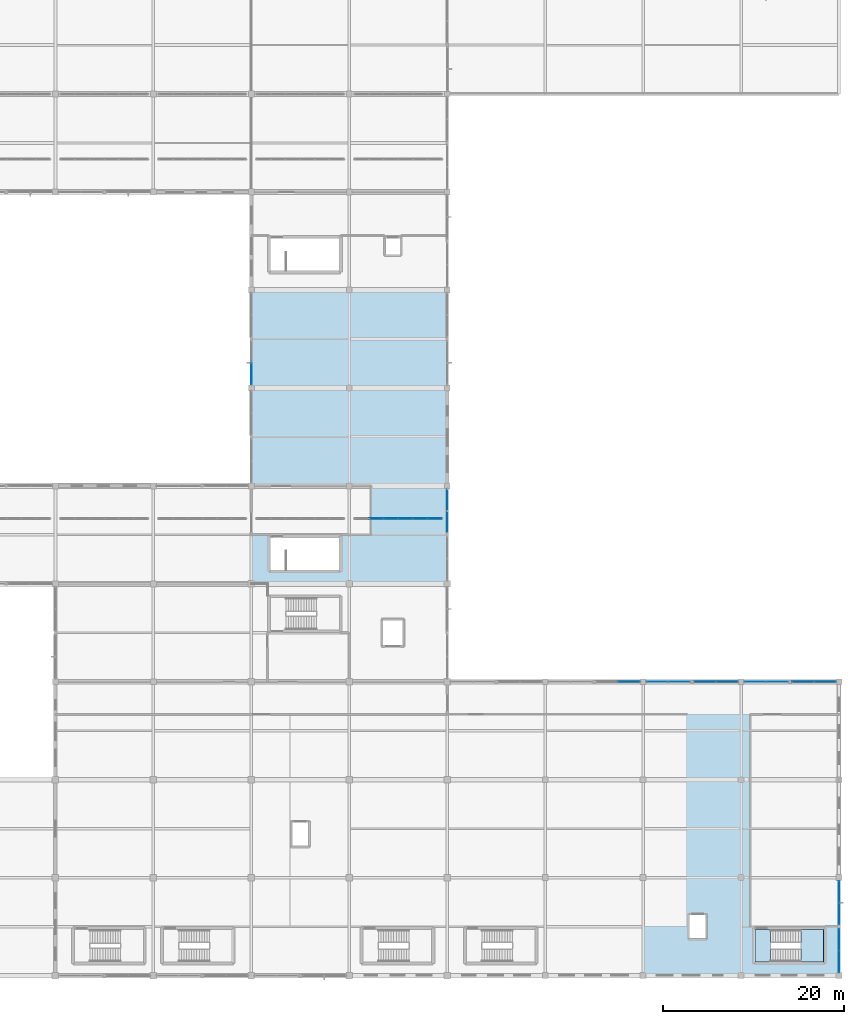
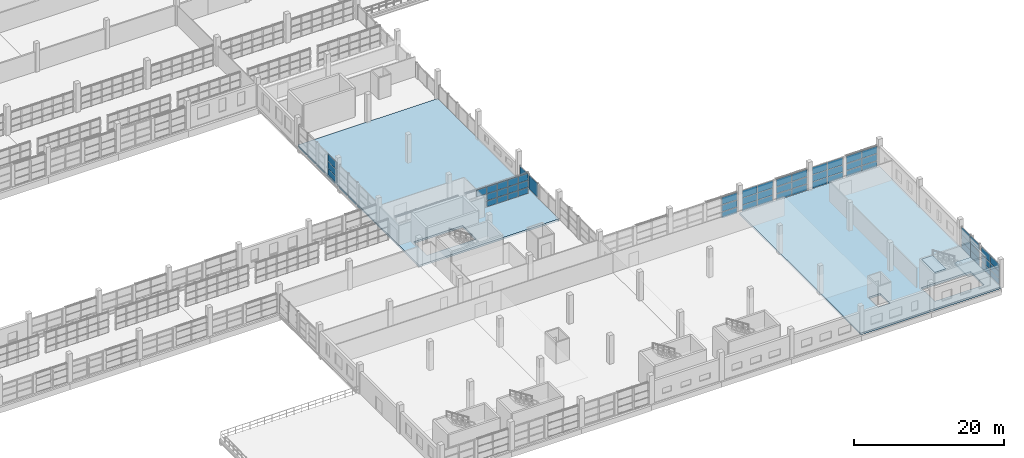
# One storey, part 98 of 142: 57 plates, 4 slabs, 11 elements without a shape of their own.
"""IFC4 building model written with IfcOpenShell, lengths in metres."""

from ifc_helpers import new_model, si_unit, direction, frame, origin, origin_2d, place, context, subcontext, project, spatial, polyline, rectangle, outline, extrude, material, layer, layer_set, type_object, element, aggregate, save


model = new_model("IFC4")

# Units and contexts
model_context = context("Model", 3, precision=1e-05, world=origin(), true_north=direction((0.0, 1.0)))
body_context = subcontext(model_context, "Body", "Model", "MODEL_VIEW")
ifc_project = project(units=[si_unit("LENGTHUNIT", "METRE"), si_unit("AREAUNIT", "SQUARE_METRE"), si_unit("VOLUMEUNIT", "CUBIC_METRE"), si_unit("PLANEANGLEUNIT", "RADIAN"), si_unit("MASSUNIT", "GRAM", prefix="KILO")], contexts=[model_context])

# Site, building, storey
site_placement = place(None, origin())
site = spatial("IfcSite", under=ifc_project, at=site_placement, CompositionType="ELEMENT")
building_placement = place(site_placement, origin())
building = spatial("IfcBuilding", under=site, at=building_placement, Name="Zwinboog Wholesale Market", CompositionType="ELEMENT")
storey_placement = place(building_placement, frame((0.0, 0.0, 5.39990234375)))
storey = spatial("IfcBuildingStorey", under=building, at=storey_placement, Name="L01", CompositionType="ELEMENT", Elevation=5.39990234375)

# Slabs
ifc_material_1 = material(Name="Precast concrete C45/55", Category="concrete")
ifc_layer_1 = layer(ifc_material_1, 0.304931640625)
ifc_layer_set_1 = layer_set([ifc_layer_1], Name="Precast concrete C45/55")
slab_type_1 = type_object("IfcSlabType", Name="SLT-FL-305", PredefinedType="FLOOR", material=ifc_layer_set_1)
slab_1_placement = place(storey_placement, frame((0.0, 0.0, -0.304931640625)))
element("IfcSlab", 1, at=slab_1_placement, inside=storey, type_object=slab_type_1, Name="SF-305 (SLB-L01-041)", PredefinedType="FLOOR", context=body_context, shape_type="SweptSolid", body=[
    extrude(outline(polyline([(151.199951171875, 43.199951171875), (172.800048828125, 43.199951171875), (172.800048828125, 75.60009765625), (151.199951171875, 75.60009765625), (151.199951171875, 43.199951171875)]), holes=[polyline([(153.300048828125, 44.699951171875), (160.89990234375, 44.699951171875), (160.89990234375, 48.300048828125), (153.300048828125, 48.300048828125), (153.300048828125, 44.699951171875)])]), origin(), (0.0, 0.0, 1.0), 0.304931640625),
])
slab_2_placement = place(storey_placement, frame((0.0, 0.0, -0.304931640625)))
element("IfcSlab", 2, at=slab_2_placement, inside=storey, type_object=slab_type_1, Name="SF-305 (SLB-L01-049)", PredefinedType="FLOOR", context=body_context, shape_type="SweptSolid", body=[
    extrude(outline(polyline([(194.39990234375, 0.0), (216.0, 0.0), (216.0, 32.39990234375), (194.39990234375, 32.39990234375), (194.39990234375, 0.0)]), holes=[polyline([(206.699951171875, 1.5), (214.300048828125, 1.5), (214.300048828125, 5.10009765625), (206.699951171875, 5.10009765625), (206.699951171875, 1.5)]), polyline([(199.5, 4.10009765625), (201.300048828125, 4.10009765625), (201.300048828125, 6.699951171875), (199.5, 6.699951171875), (199.5, 4.10009765625)])]), origin(), (0.0, 0.0, 1.0), 0.304931640625),
])

# Curtain wall, plates
ifc_material_2 = material(Name="Aluminium thermally broken curtain wall", Category="aluminium")
curtain_wall_type_1 = type_object("IfcCurtainWallType", Name="CWT-STALL-20", PredefinedType="USERDEFINED", material=ifc_material_2)
curtain_wall_1_placement = place(storey_placement, origin())
curtain_wall_1 = element("IfcCurtainWall", 3, at=curtain_wall_1_placement, inside=storey, type_object=curtain_wall_type_1, Name="CW-02 (CW-L01-146)", ObjectType="STOREFRONT_GLAZING", PredefinedType="USERDEFINED")
ifc_material_3 = material(Name="Double low-e insulated glazing", Category="glass")
ifc_layer_2 = layer(ifc_material_3, 0.031982421875)
ifc_layer_set_2 = layer_set([ifc_layer_2], Name="Double low-e insulated glazing")
plate_type_1 = type_object("IfcPlateType", Name="CWP-IGU-32", PredefinedType="CURTAIN_PANEL", material=ifc_layer_set_2)
plate_1_placement = place(storey_placement, frame((192.844970703125, 32.39990234375, 0.06005859375), z_axis=(0.0, 0.0, 1.0), x_axis=(1.0, 0.0, 0.0)))
plate_1 = element("IfcPlate", 4, at=plate_1_placement, type_object=plate_type_1, Name="CW-02 panel 2.1", PredefinedType="CURTAIN_PANEL", context=body_context, shape_type="SweptSolid", body=[
    extrude(rectangle(XDim=2.35009765625, YDim=0.031982421875, at=origin_2d()), origin(), (0.0, 0.0, 1.0), 1.010009765625),
])
plate_2_placement = place(storey_placement, frame((192.844970703125, 32.39990234375, 1.1298828125), z_axis=(0.0, 0.0, 1.0), x_axis=(1.0, 0.0, 0.0)))
plate_2 = element("IfcPlate", 5, at=plate_2_placement, type_object=plate_type_1, Name="CW-02 panel 2.2", PredefinedType="CURTAIN_PANEL", context=body_context, shape_type="SweptSolid", body=[
    extrude(rectangle(XDim=2.35009765625, YDim=0.031982421875, at=origin_2d()), origin(), (0.0, 0.0, 1.0), 1.090087890625),
])
plate_3_placement = place(storey_placement, frame((192.844970703125, 32.39990234375, 2.280029296875), z_axis=(0.0, 0.0, 1.0), x_axis=(1.0, 0.0, 0.0)))
plate_3 = element("IfcPlate", 6, at=plate_3_placement, type_object=plate_type_1, Name="CW-02 panel 2.3", PredefinedType="CURTAIN_PANEL", context=body_context, shape_type="SweptSolid", body=[
    extrude(rectangle(XDim=2.35009765625, YDim=0.031982421875, at=origin_2d()), origin(), (0.0, 0.0, 1.0), 1.18994140625),
])
aggregate(curtain_wall_1, [plate_1, plate_2, plate_3])

curtain_wall_type_2 = type_object("IfcCurtainWallType", Name="CWT-HALL-24", PredefinedType="USERDEFINED", material=ifc_material_2)
curtain_wall_2_placement = place(storey_placement, origin())
curtain_wall_2 = element("IfcCurtainWall", 7, at=curtain_wall_2_placement, inside=storey, type_object=curtain_wall_type_2, Name="CW-03 (CW-L01-147)", ObjectType="UNITIZED_CURTAIN_WALL", PredefinedType="USERDEFINED")
plate_4_placement = place(storey_placement, frame((195.956298828125, 32.39990234375, 0.065185546875), z_axis=(0.0, 0.0, 1.0), x_axis=(1.0, 0.0, 0.0)))
plate_4 = element("IfcPlate", 8, at=plate_4_placement, type_object=plate_type_1, Name="CW-03 panel 1.1", PredefinedType="CURTAIN_PANEL", context=body_context, shape_type="SweptSolid", body=[
    extrude(rectangle(XDim=2.342529296875, YDim=0.031982421875, at=origin_2d()), origin(), (0.0, 0.0, 1.0), 1.00244140625),
])
plate_5_placement = place(storey_placement, frame((195.956298828125, 32.39990234375, 1.132568359375), z_axis=(0.0, 0.0, 1.0), x_axis=(1.0, 0.0, 0.0)))
plate_5 = element("IfcPlate", 9, at=plate_5_placement, type_object=plate_type_1, Name="CW-03 panel 1.2", PredefinedType="CURTAIN_PANEL", context=body_context, shape_type="SweptSolid", body=[
    extrude(rectangle(XDim=2.342529296875, YDim=0.031982421875, at=origin_2d()), origin(), (0.0, 0.0, 1.0), 1.0849609375),
])
plate_6_placement = place(storey_placement, frame((195.956298828125, 32.39990234375, 2.282470703125), z_axis=(0.0, 0.0, 1.0), x_axis=(1.0, 0.0, 0.0)))
plate_6 = element("IfcPlate", 10, at=plate_6_placement, type_object=plate_type_1, Name="CW-03 panel 1.3", PredefinedType="CURTAIN_PANEL", context=body_context, shape_type="SweptSolid", body=[
    extrude(rectangle(XDim=2.342529296875, YDim=0.031982421875, at=origin_2d()), origin(), (0.0, 0.0, 1.0), 1.1826171875),
])
plate_7_placement = place(storey_placement, frame((198.36376953125, 32.39990234375, 0.065185546875), z_axis=(0.0, 0.0, 1.0), x_axis=(1.0, 0.0, 0.0)))
plate_7 = element("IfcPlate", 11, at=plate_7_placement, type_object=plate_type_1, Name="CW-03 panel 2.1", PredefinedType="CURTAIN_PANEL", context=body_context, shape_type="SweptSolid", body=[
    extrude(rectangle(XDim=2.342529296875, YDim=0.031982421875, at=origin_2d()), origin(), (0.0, 0.0, 1.0), 1.00244140625),
])
plate_8_placement = place(storey_placement, frame((198.36376953125, 32.39990234375, 1.132568359375), z_axis=(0.0, 0.0, 1.0), x_axis=(1.0, 0.0, 0.0)))
plate_8 = element("IfcPlate", 12, at=plate_8_placement, type_object=plate_type_1, Name="CW-03 panel 2.2", PredefinedType="CURTAIN_PANEL", context=body_context, shape_type="SweptSolid", body=[
    extrude(rectangle(XDim=2.342529296875, YDim=0.031982421875, at=origin_2d()), origin(), (0.0, 0.0, 1.0), 1.0849609375),
])
plate_9_placement = place(storey_placement, frame((198.36376953125, 32.39990234375, 2.282470703125), z_axis=(0.0, 0.0, 1.0), x_axis=(1.0, 0.0, 0.0)))
plate_9 = element("IfcPlate", 13, at=plate_9_placement, type_object=plate_type_1, Name="CW-03 panel 2.3", PredefinedType="CURTAIN_PANEL", context=body_context, shape_type="SweptSolid", body=[
    extrude(rectangle(XDim=2.342529296875, YDim=0.031982421875, at=origin_2d()), origin(), (0.0, 0.0, 1.0), 1.1826171875),
])
aggregate(curtain_wall_2, [plate_4, plate_5, plate_6, plate_7, plate_8, plate_9])

curtain_wall_type_3 = type_object("IfcCurtainWallType", Name="CWT-GAL-16", PredefinedType="USERDEFINED", material=ifc_material_2)
curtain_wall_3_placement = place(storey_placement, origin())
curtain_wall_3 = element("IfcCurtainWall", 14, at=curtain_wall_3_placement, inside=storey, type_object=curtain_wall_type_3, Name="CW-04 (CW-L01-148)", ObjectType="UNITIZED_CURTAIN_WALL", PredefinedType="USERDEFINED")
plate_10_placement = place(storey_placement, frame((201.235107421875, 32.39990234375, 0.06005859375), z_axis=(0.0, 0.0, 1.0), x_axis=(1.0, 0.0, 0.0)))
plate_10 = element("IfcPlate", 15, at=plate_10_placement, type_object=plate_type_1, Name="CW-04 panel 1.1", PredefinedType="CURTAIN_PANEL", context=body_context, shape_type="SweptSolid", body=[
    extrude(rectangle(XDim=2.35009765625, YDim=0.031982421875, at=origin_2d()), origin(), (0.0, 0.0, 1.0), 1.010009765625),
])
plate_11_placement = place(storey_placement, frame((201.235107421875, 32.39990234375, 1.1298828125), z_axis=(0.0, 0.0, 1.0), x_axis=(1.0, 0.0, 0.0)))
plate_11 = element("IfcPlate", 16, at=plate_11_placement, type_object=plate_type_1, Name="CW-04 panel 1.2", PredefinedType="CURTAIN_PANEL", context=body_context, shape_type="SweptSolid", body=[
    extrude(rectangle(XDim=2.35009765625, YDim=0.031982421875, at=origin_2d()), origin(), (0.0, 0.0, 1.0), 1.090087890625),
])
plate_12_placement = place(storey_placement, frame((201.235107421875, 32.39990234375, 2.280029296875), z_axis=(0.0, 0.0, 1.0), x_axis=(1.0, 0.0, 0.0)))
plate_12 = element("IfcPlate", 17, at=plate_12_placement, type_object=plate_type_1, Name="CW-04 panel 1.3", PredefinedType="CURTAIN_PANEL", context=body_context, shape_type="SweptSolid", body=[
    extrude(rectangle(XDim=2.35009765625, YDim=0.031982421875, at=origin_2d()), origin(), (0.0, 0.0, 1.0), 1.18994140625),
])
plate_13_placement = place(storey_placement, frame((203.64501953125, 32.39990234375, 0.06005859375), z_axis=(0.0, 0.0, 1.0), x_axis=(1.0, 0.0, 0.0)))
plate_13 = element("IfcPlate", 18, at=plate_13_placement, type_object=plate_type_1, Name="CW-04 panel 2.1", PredefinedType="CURTAIN_PANEL", context=body_context, shape_type="SweptSolid", body=[
    extrude(rectangle(XDim=2.35009765625, YDim=0.031982421875, at=origin_2d()), origin(), (0.0, 0.0, 1.0), 1.010009765625),
])
plate_14_placement = place(storey_placement, frame((203.64501953125, 32.39990234375, 1.1298828125), z_axis=(0.0, 0.0, 1.0), x_axis=(1.0, 0.0, 0.0)))
plate_14 = element("IfcPlate", 19, at=plate_14_placement, type_object=plate_type_1, Name="CW-04 panel 2.2", PredefinedType="CURTAIN_PANEL", context=body_context, shape_type="SweptSolid", body=[
    extrude(rectangle(XDim=2.35009765625, YDim=0.031982421875, at=origin_2d()), origin(), (0.0, 0.0, 1.0), 1.090087890625),
])
plate_15_placement = place(storey_placement, frame((203.64501953125, 32.39990234375, 2.280029296875), z_axis=(0.0, 0.0, 1.0), x_axis=(1.0, 0.0, 0.0)))
plate_15 = element("IfcPlate", 20, at=plate_15_placement, type_object=plate_type_1, Name="CW-04 panel 2.3", PredefinedType="CURTAIN_PANEL", context=body_context, shape_type="SweptSolid", body=[
    extrude(rectangle(XDim=2.35009765625, YDim=0.031982421875, at=origin_2d()), origin(), (0.0, 0.0, 1.0), 1.18994140625),
])
aggregate(curtain_wall_3, [plate_10, plate_11, plate_12, plate_13, plate_14, plate_15])

curtain_wall_type_4 = type_object("IfcCurtainWallType", Name="CWT-CAFE-22", PredefinedType="USERDEFINED", material=ifc_material_2)
curtain_wall_4_placement = place(storey_placement, origin())
curtain_wall_4 = element("IfcCurtainWall", 21, at=curtain_wall_4_placement, inside=storey, type_object=curtain_wall_type_4, Name="CW-05 (CW-L01-149)", ObjectType="STOREFRONT_GLAZING", PredefinedType="USERDEFINED")
plate_16_placement = place(storey_placement, frame((216.0, 1.55615234375, 0.065185546875), z_axis=(0.0, 0.0, 1.0), x_axis=(0.0, 1.0, 0.0)))
plate_16 = element("IfcPlate", 22, at=plate_16_placement, type_object=plate_type_1, Name="CW-05 panel 1.1", PredefinedType="CURTAIN_PANEL", context=body_context, shape_type="SweptSolid", body=[
    extrude(rectangle(XDim=2.342529296875, YDim=0.031982421875, at=origin_2d()), origin(), (0.0, 0.0, 1.0), 1.00244140625),
])
plate_17_placement = place(storey_placement, frame((216.0, 1.55615234375, 1.132568359375), z_axis=(0.0, 0.0, 1.0), x_axis=(0.0, 1.0, 0.0)))
plate_17 = element("IfcPlate", 23, at=plate_17_placement, type_object=plate_type_1, Name="CW-05 panel 1.2", PredefinedType="CURTAIN_PANEL", context=body_context, shape_type="SweptSolid", body=[
    extrude(rectangle(XDim=2.342529296875, YDim=0.031982421875, at=origin_2d()), origin(), (0.0, 0.0, 1.0), 1.0849609375),
])
plate_18_placement = place(storey_placement, frame((216.0, 1.55615234375, 2.282470703125), z_axis=(0.0, 0.0, 1.0), x_axis=(0.0, 1.0, 0.0)))
plate_18 = element("IfcPlate", 24, at=plate_18_placement, type_object=plate_type_1, Name="CW-05 panel 1.3", PredefinedType="CURTAIN_PANEL", context=body_context, shape_type="SweptSolid", body=[
    extrude(rectangle(XDim=2.342529296875, YDim=0.031982421875, at=origin_2d()), origin(), (0.0, 0.0, 1.0), 1.1826171875),
])
plate_19_placement = place(storey_placement, frame((216.0, 3.9638671875, 0.065185546875), z_axis=(0.0, 0.0, 1.0), x_axis=(0.0, 1.0, 0.0)))
plate_19 = element("IfcPlate", 25, at=plate_19_placement, type_object=plate_type_1, Name="CW-05 panel 2.1", PredefinedType="CURTAIN_PANEL", context=body_context, shape_type="SweptSolid", body=[
    extrude(rectangle(XDim=2.342529296875, YDim=0.031982421875, at=origin_2d()), origin(), (0.0, 0.0, 1.0), 1.00244140625),
])
plate_20_placement = place(storey_placement, frame((216.0, 3.9638671875, 1.132568359375), z_axis=(0.0, 0.0, 1.0), x_axis=(0.0, 1.0, 0.0)))
plate_20 = element("IfcPlate", 26, at=plate_20_placement, type_object=plate_type_1, Name="CW-05 panel 2.2", PredefinedType="CURTAIN_PANEL", context=body_context, shape_type="SweptSolid", body=[
    extrude(rectangle(XDim=2.342529296875, YDim=0.031982421875, at=origin_2d()), origin(), (0.0, 0.0, 1.0), 1.0849609375),
])
plate_21_placement = place(storey_placement, frame((216.0, 3.9638671875, 2.282470703125), z_axis=(0.0, 0.0, 1.0), x_axis=(0.0, 1.0, 0.0)))
plate_21 = element("IfcPlate", 27, at=plate_21_placement, type_object=plate_type_1, Name="CW-05 panel 2.3", PredefinedType="CURTAIN_PANEL", context=body_context, shape_type="SweptSolid", body=[
    extrude(rectangle(XDim=2.342529296875, YDim=0.031982421875, at=origin_2d()), origin(), (0.0, 0.0, 1.0), 1.1826171875),
])
aggregate(curtain_wall_4, [plate_16, plate_17, plate_18, plate_19, plate_20, plate_21])

curtain_wall_type_5 = type_object("IfcCurtainWallType", Name="CWT-OFF-15", PredefinedType="USERDEFINED", material=ifc_material_2)
curtain_wall_5_placement = place(storey_placement, origin())
curtain_wall_5 = element("IfcCurtainWall", 28, at=curtain_wall_5_placement, inside=storey, type_object=curtain_wall_type_5, Name="CW-06 (CW-L01-150)", ObjectType="UNITIZED_CURTAIN_WALL", PredefinedType="USERDEFINED")
plate_22_placement = place(storey_placement, frame((216.0, 6.8349609375, 0.06005859375), z_axis=(0.0, 0.0, 1.0), x_axis=(0.0, 1.0, 0.0)))
plate_22 = element("IfcPlate", 29, at=plate_22_placement, type_object=plate_type_1, Name="CW-06 panel 1.1", PredefinedType="CURTAIN_PANEL", context=body_context, shape_type="SweptSolid", body=[
    extrude(rectangle(XDim=2.35009765625, YDim=0.031982421875, at=origin_2d()), origin(), (0.0, 0.0, 1.0), 1.010009765625),
])
plate_23_placement = place(storey_placement, frame((216.0, 6.8349609375, 1.1298828125), z_axis=(0.0, 0.0, 1.0), x_axis=(0.0, 1.0, 0.0)))
plate_23 = element("IfcPlate", 30, at=plate_23_placement, type_object=plate_type_1, Name="CW-06 panel 1.2", PredefinedType="CURTAIN_PANEL", context=body_context, shape_type="SweptSolid", body=[
    extrude(rectangle(XDim=2.35009765625, YDim=0.031982421875, at=origin_2d()), origin(), (0.0, 0.0, 1.0), 1.090087890625),
])
plate_24_placement = place(storey_placement, frame((216.0, 6.8349609375, 2.280029296875), z_axis=(0.0, 0.0, 1.0), x_axis=(0.0, 1.0, 0.0)))
plate_24 = element("IfcPlate", 31, at=plate_24_placement, type_object=plate_type_1, Name="CW-06 panel 1.3", PredefinedType="CURTAIN_PANEL", context=body_context, shape_type="SweptSolid", body=[
    extrude(rectangle(XDim=2.35009765625, YDim=0.031982421875, at=origin_2d()), origin(), (0.0, 0.0, 1.0), 1.18994140625),
])
plate_25_placement = place(storey_placement, frame((216.0, 9.2451171875, 0.06005859375), z_axis=(0.0, 0.0, 1.0), x_axis=(0.0, 1.0, 0.0)))
plate_25 = element("IfcPlate", 32, at=plate_25_placement, type_object=plate_type_1, Name="CW-06 panel 2.1", PredefinedType="CURTAIN_PANEL", context=body_context, shape_type="SweptSolid", body=[
    extrude(rectangle(XDim=2.35009765625, YDim=0.031982421875, at=origin_2d()), origin(), (0.0, 0.0, 1.0), 1.010009765625),
])
plate_26_placement = place(storey_placement, frame((216.0, 9.2451171875, 1.1298828125), z_axis=(0.0, 0.0, 1.0), x_axis=(0.0, 1.0, 0.0)))
plate_26 = element("IfcPlate", 33, at=plate_26_placement, type_object=plate_type_1, Name="CW-06 panel 2.2", PredefinedType="CURTAIN_PANEL", context=body_context, shape_type="SweptSolid", body=[
    extrude(rectangle(XDim=2.35009765625, YDim=0.031982421875, at=origin_2d()), origin(), (0.0, 0.0, 1.0), 1.090087890625),
])
plate_27_placement = place(storey_placement, frame((216.0, 9.2451171875, 2.280029296875), z_axis=(0.0, 0.0, 1.0), x_axis=(0.0, 1.0, 0.0)))
plate_27 = element("IfcPlate", 34, at=plate_27_placement, type_object=plate_type_1, Name="CW-06 panel 2.3", PredefinedType="CURTAIN_PANEL", context=body_context, shape_type="SweptSolid", body=[
    extrude(rectangle(XDim=2.35009765625, YDim=0.031982421875, at=origin_2d()), origin(), (0.0, 0.0, 1.0), 1.18994140625),
])
aggregate(curtain_wall_5, [plate_22, plate_23, plate_24, plate_25, plate_26, plate_27])

curtain_wall_type_6 = type_object("IfcCurtainWallType", Name="CWT-STALL-18", PredefinedType="USERDEFINED", material=ifc_material_2)
curtain_wall_6_placement = place(storey_placement, origin())
curtain_wall_6 = element("IfcCurtainWall", 35, at=curtain_wall_6_placement, inside=storey, type_object=curtain_wall_type_6, Name="CW-01 (CW-L01-151)", ObjectType="STOREFRONT_GLAZING", PredefinedType="USERDEFINED")
plate_28_placement = place(storey_placement, frame((206.75634765625, 32.39990234375, 0.065185546875), z_axis=(0.0, 0.0, 1.0), x_axis=(1.0, 0.0, 0.0)))
plate_28 = element("IfcPlate", 36, at=plate_28_placement, type_object=plate_type_1, Name="CW-01 panel 1.1", PredefinedType="CURTAIN_PANEL", context=body_context, shape_type="SweptSolid", body=[
    extrude(rectangle(XDim=2.342529296875, YDim=0.031982421875, at=origin_2d()), origin(), (0.0, 0.0, 1.0), 1.00244140625),
])
plate_29_placement = place(storey_placement, frame((206.75634765625, 32.39990234375, 1.132568359375), z_axis=(0.0, 0.0, 1.0), x_axis=(1.0, 0.0, 0.0)))
plate_29 = element("IfcPlate", 37, at=plate_29_placement, type_object=plate_type_1, Name="CW-01 panel 1.2", PredefinedType="CURTAIN_PANEL", context=body_context, shape_type="SweptSolid", body=[
    extrude(rectangle(XDim=2.342529296875, YDim=0.031982421875, at=origin_2d()), origin(), (0.0, 0.0, 1.0), 1.0849609375),
])
plate_30_placement = place(storey_placement, frame((206.75634765625, 32.39990234375, 2.282470703125), z_axis=(0.0, 0.0, 1.0), x_axis=(1.0, 0.0, 0.0)))
plate_30 = element("IfcPlate", 38, at=plate_30_placement, type_object=plate_type_1, Name="CW-01 panel 1.3", PredefinedType="CURTAIN_PANEL", context=body_context, shape_type="SweptSolid", body=[
    extrude(rectangle(XDim=2.342529296875, YDim=0.031982421875, at=origin_2d()), origin(), (0.0, 0.0, 1.0), 1.1826171875),
])
plate_31_placement = place(storey_placement, frame((209.163818359375, 32.39990234375, 0.065185546875), z_axis=(0.0, 0.0, 1.0), x_axis=(1.0, 0.0, 0.0)))
plate_31 = element("IfcPlate", 39, at=plate_31_placement, type_object=plate_type_1, Name="CW-01 panel 2.1", PredefinedType="CURTAIN_PANEL", context=body_context, shape_type="SweptSolid", body=[
    extrude(rectangle(XDim=2.342529296875, YDim=0.031982421875, at=origin_2d()), origin(), (0.0, 0.0, 1.0), 1.00244140625),
])
plate_32_placement = place(storey_placement, frame((209.163818359375, 32.39990234375, 1.132568359375), z_axis=(0.0, 0.0, 1.0), x_axis=(1.0, 0.0, 0.0)))
plate_32 = element("IfcPlate", 40, at=plate_32_placement, type_object=plate_type_1, Name="CW-01 panel 2.2", PredefinedType="CURTAIN_PANEL", context=body_context, shape_type="SweptSolid", body=[
    extrude(rectangle(XDim=2.342529296875, YDim=0.031982421875, at=origin_2d()), origin(), (0.0, 0.0, 1.0), 1.0849609375),
])
plate_33_placement = place(storey_placement, frame((209.163818359375, 32.39990234375, 2.282470703125), z_axis=(0.0, 0.0, 1.0), x_axis=(1.0, 0.0, 0.0)))
plate_33 = element("IfcPlate", 41, at=plate_33_placement, type_object=plate_type_1, Name="CW-01 panel 2.3", PredefinedType="CURTAIN_PANEL", context=body_context, shape_type="SweptSolid", body=[
    extrude(rectangle(XDim=2.342529296875, YDim=0.031982421875, at=origin_2d()), origin(), (0.0, 0.0, 1.0), 1.1826171875),
])
aggregate(curtain_wall_6, [plate_28, plate_29, plate_30, plate_31, plate_32, plate_33])

curtain_wall_7_placement = place(storey_placement, origin())
curtain_wall_7 = element("IfcCurtainWall", 42, at=curtain_wall_7_placement, inside=storey, type_object=curtain_wall_type_1, Name="CW-02 (CW-L01-152)", ObjectType="STOREFRONT_GLAZING", PredefinedType="USERDEFINED")
plate_34_placement = place(storey_placement, frame((212.034912109375, 32.39990234375, 0.06005859375), z_axis=(0.0, 0.0, 1.0), x_axis=(1.0, 0.0, 0.0)))
plate_34 = element("IfcPlate", 43, at=plate_34_placement, type_object=plate_type_1, Name="CW-02 panel 1.1", PredefinedType="CURTAIN_PANEL", context=body_context, shape_type="SweptSolid", body=[
    extrude(rectangle(XDim=2.35009765625, YDim=0.031982421875, at=origin_2d()), origin(), (0.0, 0.0, 1.0), 1.010009765625),
])
plate_35_placement = place(storey_placement, frame((212.034912109375, 32.39990234375, 1.1298828125), z_axis=(0.0, 0.0, 1.0), x_axis=(1.0, 0.0, 0.0)))
plate_35 = element("IfcPlate", 44, at=plate_35_placement, type_object=plate_type_1, Name="CW-02 panel 1.2", PredefinedType="CURTAIN_PANEL", context=body_context, shape_type="SweptSolid", body=[
    extrude(rectangle(XDim=2.35009765625, YDim=0.031982421875, at=origin_2d()), origin(), (0.0, 0.0, 1.0), 1.090087890625),
])
plate_36_placement = place(storey_placement, frame((212.034912109375, 32.39990234375, 2.280029296875), z_axis=(0.0, 0.0, 1.0), x_axis=(1.0, 0.0, 0.0)))
plate_36 = element("IfcPlate", 45, at=plate_36_placement, type_object=plate_type_1, Name="CW-02 panel 1.3", PredefinedType="CURTAIN_PANEL", context=body_context, shape_type="SweptSolid", body=[
    extrude(rectangle(XDim=2.35009765625, YDim=0.031982421875, at=origin_2d()), origin(), (0.0, 0.0, 1.0), 1.18994140625),
])
plate_37_placement = place(storey_placement, frame((214.445068359375, 32.39990234375, 0.06005859375), z_axis=(0.0, 0.0, 1.0), x_axis=(1.0, 0.0, 0.0)))
plate_37 = element("IfcPlate", 46, at=plate_37_placement, type_object=plate_type_1, Name="CW-02 panel 2.1", PredefinedType="CURTAIN_PANEL", context=body_context, shape_type="SweptSolid", body=[
    extrude(rectangle(XDim=2.35009765625, YDim=0.031982421875, at=origin_2d()), origin(), (0.0, 0.0, 1.0), 1.010009765625),
])
plate_38_placement = place(storey_placement, frame((214.445068359375, 32.39990234375, 1.1298828125), z_axis=(0.0, 0.0, 1.0), x_axis=(1.0, 0.0, 0.0)))
plate_38 = element("IfcPlate", 47, at=plate_38_placement, type_object=plate_type_1, Name="CW-02 panel 2.2", PredefinedType="CURTAIN_PANEL", context=body_context, shape_type="SweptSolid", body=[
    extrude(rectangle(XDim=2.35009765625, YDim=0.031982421875, at=origin_2d()), origin(), (0.0, 0.0, 1.0), 1.090087890625),
])
plate_39_placement = place(storey_placement, frame((214.445068359375, 32.39990234375, 2.280029296875), z_axis=(0.0, 0.0, 1.0), x_axis=(1.0, 0.0, 0.0)))
plate_39 = element("IfcPlate", 48, at=plate_39_placement, type_object=plate_type_1, Name="CW-02 panel 2.3", PredefinedType="CURTAIN_PANEL", context=body_context, shape_type="SweptSolid", body=[
    extrude(rectangle(XDim=2.35009765625, YDim=0.031982421875, at=origin_2d()), origin(), (0.0, 0.0, 1.0), 1.18994140625),
])
aggregate(curtain_wall_7, [plate_34, plate_35, plate_36, plate_37, plate_38, plate_39])

curtain_wall_8_placement = place(storey_placement, origin())
curtain_wall_8 = element("IfcCurtainWall", 49, at=curtain_wall_8_placement, inside=storey, type_object=curtain_wall_type_2, Name="CW-03 (CW-L01-129)", ObjectType="UNITIZED_CURTAIN_WALL", PredefinedType="USERDEFINED")
ifc_material_4 = material(Name="Triple solar-control insulated glazing", Category="glass")
ifc_layer_3 = layer(ifc_material_4, 0.0380859375)
ifc_layer_set_3 = layer_set([ifc_layer_3], Name="Triple solar-control insulated glazing")
plate_type_2 = type_object("IfcPlateType", Name="CWP-IGU-38", PredefinedType="CURTAIN_PANEL", material=ifc_layer_set_3)
plate_40_placement = place(storey_placement, frame((151.199951171875, 66.356201171875, 0.065185546875), z_axis=(0.0, 0.0, 1.0), x_axis=(0.0, 1.0, 0.0)))
plate_40 = element("IfcPlate", 50, at=plate_40_placement, type_object=plate_type_2, Name="CW-03 panel 1.1", PredefinedType="CURTAIN_PANEL", context=body_context, shape_type="SweptSolid", body=[
    extrude(rectangle(XDim=2.342529296875, YDim=0.0380859375, at=origin_2d()), origin(), (0.0, 0.0, 1.0), 1.00244140625),
])
plate_41_placement = place(storey_placement, frame((151.199951171875, 66.356201171875, 1.132568359375), z_axis=(0.0, 0.0, 1.0), x_axis=(0.0, 1.0, 0.0)))
plate_41 = element("IfcPlate", 51, at=plate_41_placement, type_object=plate_type_2, Name="CW-03 panel 1.2", PredefinedType="CURTAIN_PANEL", context=body_context, shape_type="SweptSolid", body=[
    extrude(rectangle(XDim=2.342529296875, YDim=0.0380859375, at=origin_2d()), origin(), (0.0, 0.0, 1.0), 1.0849609375),
])
plate_42_placement = place(storey_placement, frame((151.199951171875, 66.356201171875, 2.282470703125), z_axis=(0.0, 0.0, 1.0), x_axis=(0.0, 1.0, 0.0)))
plate_42 = element("IfcPlate", 52, at=plate_42_placement, type_object=plate_type_2, Name="CW-03 panel 1.3", PredefinedType="CURTAIN_PANEL", context=body_context, shape_type="SweptSolid", body=[
    extrude(rectangle(XDim=2.342529296875, YDim=0.0380859375, at=origin_2d()), origin(), (0.0, 0.0, 1.0), 1.1826171875),
])
aggregate(curtain_wall_8, [plate_40, plate_41, plate_42])

curtain_wall_9_placement = place(storey_placement, origin())
curtain_wall_9 = element("IfcCurtainWall", 53, at=curtain_wall_9_placement, inside=storey, type_object=curtain_wall_type_1, Name="CW-02 (CW-L01-134)", ObjectType="STOREFRONT_GLAZING", PredefinedType="USERDEFINED")
plate_43_placement = place(storey_placement, frame((172.800048828125, 50.034912109375, 0.06005859375), z_axis=(0.0, 0.0, 1.0), x_axis=(0.0, 1.0, 0.0)))
plate_43 = element("IfcPlate", 54, at=plate_43_placement, type_object=plate_type_2, Name="CW-02 panel 1.1", PredefinedType="CURTAIN_PANEL", context=body_context, shape_type="SweptSolid", body=[
    extrude(rectangle(XDim=2.35009765625, YDim=0.0380859375, at=origin_2d()), origin(), (0.0, 0.0, 1.0), 2.260009765625),
])
plate_44_placement = place(storey_placement, frame((172.800048828125, 52.445068359375, 0.06005859375), z_axis=(0.0, 0.0, 1.0), x_axis=(0.0, 1.0, 0.0)))
plate_44 = element("IfcPlate", 55, at=plate_44_placement, type_object=plate_type_2, Name="CW-02 panel 2.1", PredefinedType="CURTAIN_PANEL", context=body_context, shape_type="SweptSolid", body=[
    extrude(rectangle(XDim=2.35009765625, YDim=0.0380859375, at=origin_2d()), origin(), (0.0, 0.0, 1.0), 2.260009765625),
])
aggregate(curtain_wall_9, [plate_43, plate_44])

curtain_wall_type_7 = type_object("IfcCurtainWallType", Name="CWT-INT-STALL", PredefinedType="USERDEFINED", material=ifc_material_2)
curtain_wall_10_placement = place(storey_placement, origin())
curtain_wall_10 = element("IfcCurtainWall", 56, at=curtain_wall_10_placement, inside=storey, type_object=curtain_wall_type_7, Name="CW-07 (CW-STL-234)", ObjectType="STOREFRONT_GLAZING", PredefinedType="USERDEFINED")
ifc_material_5 = material(Name="Tempered laminated market stall glazing", Category="glass")
ifc_layer_4 = layer(ifc_material_5, 0.01611328125)
ifc_layer_set_4 = layer_set([ifc_layer_4], Name="Tempered laminated market stall glazing")
plate_type_3 = type_object("IfcPlateType", Name="CWP-INT-16", PredefinedType="CURTAIN_PANEL", material=ifc_layer_set_4)
plate_45_placement = place(storey_placement, frame((164.97509765625, 50.39990234375, 2.22998046875), z_axis=(0.0, 0.0, 1.0), x_axis=(1.0, 0.0, 0.0)))
plate_45 = element("IfcPlate", 57, at=plate_45_placement, type_object=plate_type_3, Name="CW-07 panel 2.3", PredefinedType="CURTAIN_PANEL", context=body_context, shape_type="SweptSolid", body=[
    extrude(rectangle(XDim=1.556640625, YDim=0.01611328125, at=origin_2d()), origin(), (0.0, 0.0, 1.0), 1.110107421875),
])
plate_46_placement = place(storey_placement, frame((166.591552734375, 50.39990234375, 0.06005859375), z_axis=(0.0, 0.0, 1.0), x_axis=(1.0, 0.0, 0.0)))
plate_46 = element("IfcPlate", 58, at=plate_46_placement, type_object=plate_type_3, Name="CW-07 panel 3.1", PredefinedType="CURTAIN_PANEL", context=body_context, shape_type="SweptSolid", body=[
    extrude(rectangle(XDim=1.556640625, YDim=0.01611328125, at=origin_2d()), origin(), (0.0, 0.0, 1.0), 0.9599609375),
])
plate_47_placement = place(storey_placement, frame((166.591552734375, 50.39990234375, 1.080078125), z_axis=(0.0, 0.0, 1.0), x_axis=(1.0, 0.0, 0.0)))
plate_47 = element("IfcPlate", 59, at=plate_47_placement, type_object=plate_type_3, Name="CW-07 panel 3.2", PredefinedType="CURTAIN_PANEL", context=body_context, shape_type="SweptSolid", body=[
    extrude(rectangle(XDim=1.556640625, YDim=0.01611328125, at=origin_2d()), origin(), (0.0, 0.0, 1.0), 1.090087890625),
])
plate_48_placement = place(storey_placement, frame((166.591552734375, 50.39990234375, 2.22998046875), z_axis=(0.0, 0.0, 1.0), x_axis=(1.0, 0.0, 0.0)))
plate_48 = element("IfcPlate", 60, at=plate_48_placement, type_object=plate_type_3, Name="CW-07 panel 3.3", PredefinedType="CURTAIN_PANEL", context=body_context, shape_type="SweptSolid", body=[
    extrude(rectangle(XDim=1.556640625, YDim=0.01611328125, at=origin_2d()), origin(), (0.0, 0.0, 1.0), 1.110107421875),
])
plate_49_placement = place(storey_placement, frame((168.208251953125, 50.39990234375, 0.06005859375), z_axis=(0.0, 0.0, 1.0), x_axis=(1.0, 0.0, 0.0)))
plate_49 = element("IfcPlate", 61, at=plate_49_placement, type_object=plate_type_3, Name="CW-07 panel 4.1", PredefinedType="CURTAIN_PANEL", context=body_context, shape_type="SweptSolid", body=[
    extrude(rectangle(XDim=1.556640625, YDim=0.01611328125, at=origin_2d()), origin(), (0.0, 0.0, 1.0), 0.9599609375),
])
plate_50_placement = place(storey_placement, frame((168.208251953125, 50.39990234375, 1.080078125), z_axis=(0.0, 0.0, 1.0), x_axis=(1.0, 0.0, 0.0)))
plate_50 = element("IfcPlate", 62, at=plate_50_placement, type_object=plate_type_3, Name="CW-07 panel 4.2", PredefinedType="CURTAIN_PANEL", context=body_context, shape_type="SweptSolid", body=[
    extrude(rectangle(XDim=1.556640625, YDim=0.01611328125, at=origin_2d()), origin(), (0.0, 0.0, 1.0), 1.090087890625),
])
plate_51_placement = place(storey_placement, frame((168.208251953125, 50.39990234375, 2.22998046875), z_axis=(0.0, 0.0, 1.0), x_axis=(1.0, 0.0, 0.0)))
plate_51 = element("IfcPlate", 63, at=plate_51_placement, type_object=plate_type_3, Name="CW-07 panel 4.3", PredefinedType="CURTAIN_PANEL", context=body_context, shape_type="SweptSolid", body=[
    extrude(rectangle(XDim=1.556640625, YDim=0.01611328125, at=origin_2d()), origin(), (0.0, 0.0, 1.0), 1.110107421875),
])
plate_52_placement = place(storey_placement, frame((169.824951171875, 50.39990234375, 0.06005859375), z_axis=(0.0, 0.0, 1.0), x_axis=(1.0, 0.0, 0.0)))
plate_52 = element("IfcPlate", 64, at=plate_52_placement, type_object=plate_type_3, Name="CW-07 panel 5.1", PredefinedType="CURTAIN_PANEL", context=body_context, shape_type="SweptSolid", body=[
    extrude(rectangle(XDim=1.556640625, YDim=0.01611328125, at=origin_2d()), origin(), (0.0, 0.0, 1.0), 0.9599609375),
])
plate_53_placement = place(storey_placement, frame((169.824951171875, 50.39990234375, 1.080078125), z_axis=(0.0, 0.0, 1.0), x_axis=(1.0, 0.0, 0.0)))
plate_53 = element("IfcPlate", 65, at=plate_53_placement, type_object=plate_type_3, Name="CW-07 panel 5.2", PredefinedType="CURTAIN_PANEL", context=body_context, shape_type="SweptSolid", body=[
    extrude(rectangle(XDim=1.556640625, YDim=0.01611328125, at=origin_2d()), origin(), (0.0, 0.0, 1.0), 1.090087890625),
])
plate_54_placement = place(storey_placement, frame((169.824951171875, 50.39990234375, 2.22998046875), z_axis=(0.0, 0.0, 1.0), x_axis=(1.0, 0.0, 0.0)))
plate_54 = element("IfcPlate", 66, at=plate_54_placement, type_object=plate_type_3, Name="CW-07 panel 5.3", PredefinedType="CURTAIN_PANEL", context=body_context, shape_type="SweptSolid", body=[
    extrude(rectangle(XDim=1.556640625, YDim=0.01611328125, at=origin_2d()), origin(), (0.0, 0.0, 1.0), 1.110107421875),
])
plate_55_placement = place(storey_placement, frame((171.4267578125, 50.39990234375, 0.06005859375), z_axis=(0.0, 0.0, 1.0), x_axis=(1.0, 0.0, 0.0)))
plate_55 = element("IfcPlate", 67, at=plate_55_placement, type_object=plate_type_3, Name="CW-07 panel 6.1", PredefinedType="CURTAIN_PANEL", context=body_context, shape_type="SweptSolid", body=[
    extrude(rectangle(XDim=1.526611328125, YDim=0.01611328125, at=origin_2d()), origin(), (0.0, 0.0, 1.0), 0.9599609375),
])
plate_56_placement = place(storey_placement, frame((171.4267578125, 50.39990234375, 1.080078125), z_axis=(0.0, 0.0, 1.0), x_axis=(1.0, 0.0, 0.0)))
plate_56 = element("IfcPlate", 68, at=plate_56_placement, type_object=plate_type_3, Name="CW-07 panel 6.2", PredefinedType="CURTAIN_PANEL", context=body_context, shape_type="SweptSolid", body=[
    extrude(rectangle(XDim=1.526611328125, YDim=0.01611328125, at=origin_2d()), origin(), (0.0, 0.0, 1.0), 1.090087890625),
])
plate_57_placement = place(storey_placement, frame((171.4267578125, 50.39990234375, 2.22998046875), z_axis=(0.0, 0.0, 1.0), x_axis=(1.0, 0.0, 0.0)))
plate_57 = element("IfcPlate", 69, at=plate_57_placement, type_object=plate_type_3, Name="CW-07 panel 6.3", PredefinedType="CURTAIN_PANEL", context=body_context, shape_type="SweptSolid", body=[
    extrude(rectangle(XDim=1.526611328125, YDim=0.01611328125, at=origin_2d()), origin(), (0.0, 0.0, 1.0), 1.110107421875),
])
aggregate(curtain_wall_10, [plate_45, plate_46, plate_47, plate_48, plate_49, plate_50, plate_51, plate_52, plate_53, plate_54, plate_55, plate_56, plate_57])

# Stair, slabs
ifc_material_6 = material(Name="Concrete C40/50", Category="concrete")
stair_type = type_object("IfcStairType", Name="STT-DOG-145", PredefinedType="HALF_TURN_STAIR", material=ifc_material_6)
stair_placement = place(storey_placement, origin())
stair = element("IfcStair", 70, at=stair_placement, inside=storey, type_object=stair_type, Name="Enclosed Escape Stair ST-08B", PredefinedType="HALF_TURN_STAIR")
ifc_layer_5 = layer(ifc_material_6, 0.199951171875)
ifc_layer_set_5 = layer_set([ifc_layer_5], Name="Concrete C40/50")
slab_type_2 = type_object("IfcSlabType", Name="SLT-LND-200", PredefinedType="LANDING", material=ifc_layer_set_5)
slab_3_placement = place(storey_placement, frame((0.0, 0.0, 2.14013671875)))
slab_3 = element("IfcSlab", 71, at=slab_3_placement, type_object=slab_type_2, Name="ST-08B landing 1", PredefinedType="LANDING", context=body_context, shape_type="SweptSolid", body=[
    extrude(outline(polyline([(211.780029296875, 1.5048828125), (214.294921875, 1.5048828125), (214.294921875, 5.094970703125), (211.780029296875, 5.094970703125), (211.780029296875, 1.5048828125)])), origin(), (0.0, 0.0, 1.0), 0.199951171875),
])
slab_4_placement = place(storey_placement, frame((0.0, 0.0, 4.47998046875)))
slab_4 = element("IfcSlab", 72, at=slab_4_placement, type_object=slab_type_2, Name="ST-08B landing 2", PredefinedType="LANDING", context=body_context, shape_type="SweptSolid", body=[
    extrude(outline(polyline([(206.705078125, 1.5048828125), (208.419921875, 1.5048828125), (208.419921875, 5.094970703125), (206.705078125, 5.094970703125), (206.705078125, 1.5048828125)])), origin(), (0.0, 0.0, 1.0), 0.2001953125),
])
aggregate(stair, [slab_3, slab_4])

save(model, "model.ifc")
